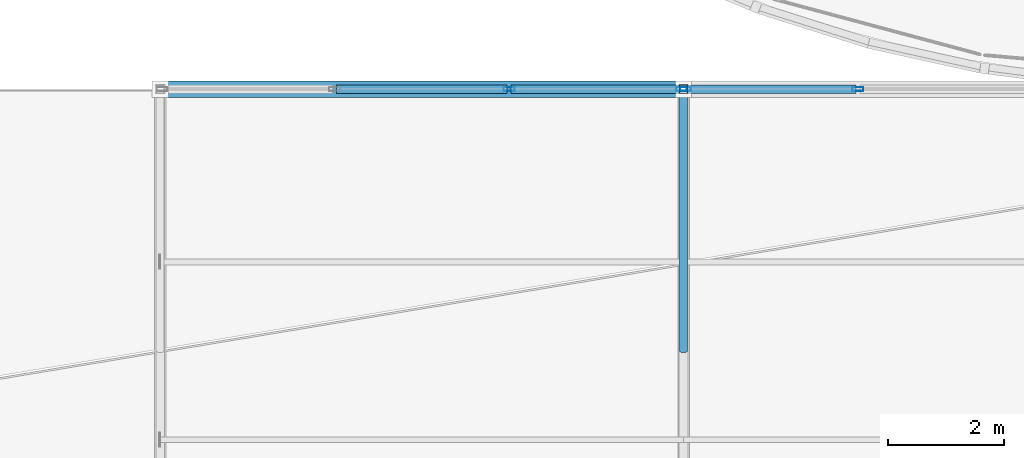
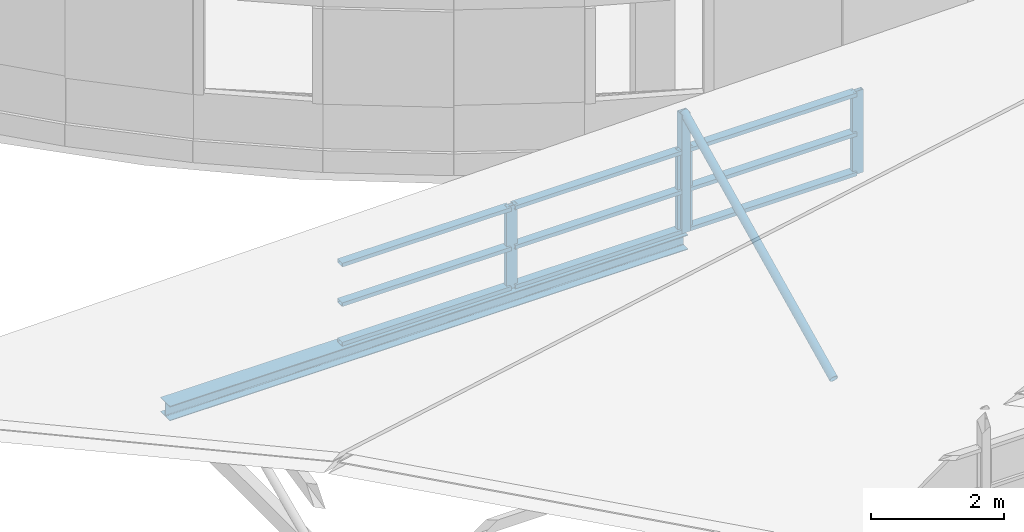
# One storey, part 33 of 103: 15 members, 1 beam, 2 elements without a shape of their own.
"""IFC4 building model written with IfcOpenShell, lengths in metres."""

from ifc_helpers import new_model, si_unit, direction, frame, origin, origin_2d, place, context, subcontext, project, spatial, hollow_rectangle, hollow_circle, i_section, extrude, material, layer, layer_set, material_profile, profile_set, type_object, element, aggregate, save


model = new_model("IFC4")

# Units and contexts
model_context = context("Model", 3, precision=1e-05, world=origin(), true_north=direction((0.0, 1.0)))
body_context = subcontext(model_context, "Body", "Model", "MODEL_VIEW")
ifc_project = project(units=[si_unit("LENGTHUNIT", "METRE"), si_unit("AREAUNIT", "SQUARE_METRE"), si_unit("VOLUMEUNIT", "CUBIC_METRE"), si_unit("PLANEANGLEUNIT", "RADIAN"), si_unit("MASSUNIT", "GRAM", prefix="KILO")], contexts=[model_context])

# Site, building, storey
site_placement = place(None, origin())
site = spatial("IfcSite", under=ifc_project, at=site_placement, CompositionType="ELEMENT")
building_placement = place(site_placement, origin())
building = spatial("IfcBuilding", under=site, at=building_placement, Name="Deido Ridge Mobility Hub", CompositionType="ELEMENT")
storey_placement = place(building_placement, frame((0.0, 0.0, 12.60009765625)))
storey = spatial("IfcBuildingStorey", under=building, at=storey_placement, Name="L03", CompositionType="ELEMENT", Elevation=12.60009765625)

# Curtain wall, members
ifc_material_1 = material(Name="Anodised aluminium EN AW-6063 T6", Category="aluminium")
ifc_layer = layer(ifc_material_1, 0.14404296875, Name="Anodised aluminium EN AW-6063 T6")
ifc_layer_set = layer_set([ifc_layer], Name="Anodised aluminium EN AW-6063 T6")
curtain_wall_type = type_object("IfcCurtainWallType", Name="CW-GS-2", PredefinedType="USERDEFINED", material=ifc_layer_set)
curtain_wall_1_placement = place(storey_placement, origin())
curtain_wall_1 = element("IfcCurtainWall", 1, at=curtain_wall_1_placement, inside=storey, type_object=curtain_wall_type, Name="Unitised curtain wall GS2", ObjectType="GLAZED SCREEN", PredefinedType="USERDEFINED")
ifc_material_profile_1 = material_profile(ifc_material_1, hollow_rectangle(XDim=0.070068359375, YDim=0.18994140625, WallThickness=0.00390625, at=origin_2d()), Name="RHS 70x190x4")
ifc_profile_set_1 = profile_set([ifc_material_profile_1], Name="Anodised aluminium EN AW-6063 T6")
member_type_1 = type_object("IfcMemberType", Name="MEM-MUL-70X190", PredefinedType="MULLION", material=ifc_profile_set_1)
member_1_placement = place(storey_placement, frame((33.0, 81.0, 0.0), z_axis=(0.0, 0.0, 1.0), x_axis=(0.0, 1.0, 0.0)))
member_1 = element("IfcMember", 2, at=member_1_placement, type_object=member_type_1, Name="GS2 mullion 3", PredefinedType="MULLION", context=body_context, shape_type="SweptSolid", body=[
    extrude(hollow_rectangle(XDim=0.070068359375, YDim=0.18994140625, WallThickness=0.00390625, at=origin_2d()), origin(), (0.0, 0.0, 1.0), 1.52001953125),
])
member_2_placement = place(storey_placement, frame((35.965087890625, 81.0, 0.0), z_axis=(0.0, 0.0, 1.0), x_axis=(0.0, 1.0, 0.0)))
member_2 = element("IfcMember", 3, at=member_2_placement, type_object=member_type_1, Name="GS2 mullion 4", PredefinedType="MULLION", context=body_context, shape_type="SweptSolid", body=[
    extrude(hollow_rectangle(XDim=0.070068359375, YDim=0.18994140625, WallThickness=0.00390625, at=origin_2d()), origin(), (0.0, 0.0, 1.0), 1.52001953125),
])

curtain_wall_2_placement = place(storey_placement, origin())
curtain_wall_2 = element("IfcCurtainWall", 4, at=curtain_wall_2_placement, inside=storey, type_object=curtain_wall_type, Name="Unitised curtain wall GS2", ObjectType="GLAZED SCREEN", PredefinedType="USERDEFINED")
member_3_placement = place(storey_placement, frame((36.034912109375, 81.0, 0.0), z_axis=(0.0, 0.0, 1.0), x_axis=(0.0, 1.0, 0.0)))
member_3 = element("IfcMember", 5, at=member_3_placement, type_object=member_type_1, Name="GS2 mullion 1", PredefinedType="MULLION", context=body_context, shape_type="SweptSolid", body=[
    extrude(hollow_rectangle(XDim=0.070068359375, YDim=0.18994140625, WallThickness=0.00390625, at=origin_2d()), origin(), (0.0, 0.0, 1.0), 1.52001953125),
])
member_4_placement = place(storey_placement, frame((38.99755859375, 81.0, 0.0), z_axis=(0.0, 0.0, 1.0), x_axis=(0.0, 1.0, 0.0)))
member_4 = element("IfcMember", 6, at=member_4_placement, type_object=member_type_1, Name="GS2 mullion 2", PredefinedType="MULLION", context=body_context, shape_type="SweptSolid", body=[
    extrude(hollow_rectangle(XDim=0.070068359375, YDim=0.18994140625, WallThickness=0.00390625, at=origin_2d()), origin(), (0.0, 0.0, 1.0), 1.52001953125),
])

# Members
ifc_material_2 = material(Name="Steel S355J2H EN 10210-1", Category="steel")
ifc_material_profile_2 = material_profile(ifc_material_2, hollow_rectangle(XDim=0.14990234375, YDim=0.14990234375, WallThickness=0.008056640625, at=origin_2d()), Name="SHS 150x150x8")
ifc_profile_set_2 = profile_set([ifc_material_profile_2], Name="Steel S355J2H EN 10210-1")
member_type_2 = type_object("IfcMemberType", Name="MEM-PST-SHS150", PredefinedType="POST", material=ifc_profile_set_2)
member_5_placement = place(storey_placement, frame((36.0, 81.0, 0.0), z_axis=(0.0, 0.0, 1.0), x_axis=(1.0, 0.0, 0.0)))
element("IfcMember", 7, at=member_5_placement, inside=storey, type_object=member_type_2, Name="Sawtooth clerestory post PS1", PredefinedType="POST", context=body_context, shape_type="SweptSolid", body=[
    extrude(hollow_rectangle(XDim=0.14990234375, YDim=0.14990234375, WallThickness=0.008056640625, at=origin_2d()), origin(), (0.0, 0.0, 1.0), 2.169921875),
])
ifc_material_profile_3 = material_profile(ifc_material_2, hollow_circle(Radius=0.06982421875, WallThickness=0.00634765625, at=origin_2d()), Name="CHS 139.7x6.3")
ifc_profile_set_3 = profile_set([ifc_material_profile_3], Name="Steel S355J2H EN 10210-1")
member_type_3 = type_object("IfcMemberType", Name="MEM-STR-CHS140", PredefinedType="STRUT", material=ifc_profile_set_3)
member_6_placement = place(storey_placement, frame((36.0, 76.5, 0.0), z_axis=(0.0, 0.900746831583, 0.43434450082), x_axis=(-1.0, 0.0, 0.0)))
element("IfcMember", 8, at=member_6_placement, inside=storey, type_object=member_type_3, Name="Sawtooth web strut SR2", PredefinedType="STRUT", context=body_context, shape_type="SweptSolid", body=[
    extrude(hollow_circle(Radius=0.06982421875, WallThickness=0.00634765625, at=origin_2d()), origin(), (0.0, 0.0, 1.0), 4.995849609375),
])

# Member
ifc_material_profile_4 = material_profile(ifc_material_1, hollow_rectangle(XDim=0.14501953125, YDim=0.070068359375, WallThickness=0.00390625, at=origin_2d()), Name="RHS 145x70x4")
ifc_profile_set_4 = profile_set([ifc_material_profile_4], Name="Anodised aluminium EN AW-6063 T6")
member_type_4 = type_object("IfcMemberType", Name="MEM-TRN-145X70", PredefinedType="USERDEFINED", material=ifc_profile_set_4)
member_7_placement = place(storey_placement, frame((30.034912109375, 81.0, 0.034912109375), z_axis=(1.0, 0.0, 0.0), x_axis=(0.0, 1.0, 0.0)))
member_7 = element("IfcMember", 9, at=member_7_placement, type_object=member_type_4, Name="GS2 transom 2.1", ObjectType="TRANSOM", PredefinedType="USERDEFINED", context=body_context, shape_type="SweptSolid", body=[
    extrude(hollow_rectangle(XDim=0.14501953125, YDim=0.070068359375, WallThickness=0.00390625, at=origin_2d()), origin(), (0.0, 0.0, 1.0), 2.93017578125),
])

member_8_placement = place(storey_placement, frame((30.034912109375, 81.0, 0.760009765625), z_axis=(1.0, 0.0, 0.0), x_axis=(0.0, 1.0, 0.0)))
member_8 = element("IfcMember", 10, at=member_8_placement, type_object=member_type_4, Name="GS2 transom 2.2", ObjectType="TRANSOM", PredefinedType="USERDEFINED", context=body_context, shape_type="SweptSolid", body=[
    extrude(hollow_rectangle(XDim=0.14501953125, YDim=0.070068359375, WallThickness=0.00390625, at=origin_2d()), origin(), (0.0, 0.0, 1.0), 2.93017578125),
])

member_9_placement = place(storey_placement, frame((30.034912109375, 81.0, 1.48486328125), z_axis=(1.0, 0.0, 0.0), x_axis=(0.0, 1.0, 0.0)))
member_9 = element("IfcMember", 11, at=member_9_placement, type_object=member_type_4, Name="GS2 transom 2.3", ObjectType="TRANSOM", PredefinedType="USERDEFINED", context=body_context, shape_type="SweptSolid", body=[
    extrude(hollow_rectangle(XDim=0.14501953125, YDim=0.070068359375, WallThickness=0.00390625, at=origin_2d()), origin(), (0.0, 0.0, 1.0), 2.93017578125),
])

member_10_placement = place(storey_placement, frame((33.034912109375, 81.0, 0.034912109375), z_axis=(1.0, 0.0, 0.0), x_axis=(0.0, 1.0, 0.0)))
member_10 = element("IfcMember", 12, at=member_10_placement, type_object=member_type_4, Name="GS2 transom 3.1", ObjectType="TRANSOM", PredefinedType="USERDEFINED", context=body_context, shape_type="SweptSolid", body=[
    extrude(hollow_rectangle(XDim=0.14501953125, YDim=0.070068359375, WallThickness=0.00390625, at=origin_2d()), origin(), (0.0, 0.0, 1.0), 2.89501953125),
])

member_11_placement = place(storey_placement, frame((33.034912109375, 81.0, 0.760009765625), z_axis=(1.0, 0.0, 0.0), x_axis=(0.0, 1.0, 0.0)))
member_11 = element("IfcMember", 13, at=member_11_placement, type_object=member_type_4, Name="GS2 transom 3.2", ObjectType="TRANSOM", PredefinedType="USERDEFINED", context=body_context, shape_type="SweptSolid", body=[
    extrude(hollow_rectangle(XDim=0.14501953125, YDim=0.070068359375, WallThickness=0.00390625, at=origin_2d()), origin(), (0.0, 0.0, 1.0), 2.89501953125),
])

member_12_placement = place(storey_placement, frame((33.034912109375, 81.0, 1.48486328125), z_axis=(1.0, 0.0, 0.0), x_axis=(0.0, 1.0, 0.0)))
member_12 = element("IfcMember", 14, at=member_12_placement, type_object=member_type_4, Name="GS2 transom 3.3", ObjectType="TRANSOM", PredefinedType="USERDEFINED", context=body_context, shape_type="SweptSolid", body=[
    extrude(hollow_rectangle(XDim=0.14501953125, YDim=0.070068359375, WallThickness=0.00390625, at=origin_2d()), origin(), (0.0, 0.0, 1.0), 2.89501953125),
])

aggregate(curtain_wall_1, [member_1, member_2, member_7, member_8, member_9, member_10, member_11, member_12])

member_13_placement = place(storey_placement, frame((36.070068359375, 81.0, 0.034912109375), z_axis=(1.0, 0.0, 0.0), x_axis=(0.0, 1.0, 0.0)))
member_13 = element("IfcMember", 15, at=member_13_placement, type_object=member_type_4, Name="GS2 transom 1.1", ObjectType="TRANSOM", PredefinedType="USERDEFINED", context=body_context, shape_type="SweptSolid", body=[
    extrude(hollow_rectangle(XDim=0.14501953125, YDim=0.070068359375, WallThickness=0.00390625, at=origin_2d()), origin(), (0.0, 0.0, 1.0), 2.892578125),
])

member_14_placement = place(storey_placement, frame((36.070068359375, 81.0, 0.760009765625), z_axis=(1.0, 0.0, 0.0), x_axis=(0.0, 1.0, 0.0)))
member_14 = element("IfcMember", 16, at=member_14_placement, type_object=member_type_4, Name="GS2 transom 1.2", ObjectType="TRANSOM", PredefinedType="USERDEFINED", context=body_context, shape_type="SweptSolid", body=[
    extrude(hollow_rectangle(XDim=0.14501953125, YDim=0.070068359375, WallThickness=0.00390625, at=origin_2d()), origin(), (0.0, 0.0, 1.0), 2.892578125),
])

member_15_placement = place(storey_placement, frame((36.070068359375, 81.0, 1.48486328125), z_axis=(1.0, 0.0, 0.0), x_axis=(0.0, 1.0, 0.0)))
member_15 = element("IfcMember", 17, at=member_15_placement, type_object=member_type_4, Name="GS2 transom 1.3", ObjectType="TRANSOM", PredefinedType="USERDEFINED", context=body_context, shape_type="SweptSolid", body=[
    extrude(hollow_rectangle(XDim=0.14501953125, YDim=0.070068359375, WallThickness=0.00390625, at=origin_2d()), origin(), (0.0, 0.0, 1.0), 2.892578125),
])

aggregate(curtain_wall_2, [member_3, member_4, member_13, member_14, member_15])

# Beam
ifc_material_3 = material(Name="Steel S355J2 EN 10025-2", Category="steel")
ifc_material_profile_5 = material_profile(ifc_material_3, i_section(OverallWidth=0.280029296875, OverallDepth=0.27001953125, WebThickness=0.008056640625, FlangeThickness=0.012939453125, FilletRadius=0.02392578125, at=origin_2d()), Name="HEA 280")
ifc_profile_set_5 = profile_set([ifc_material_profile_5], Name="Steel S355J2 EN 10025-2")
beam_type = type_object("IfcBeamType", Name="SPD-HEA280", PredefinedType="SPANDREL", material=ifc_profile_set_5)
beam_placement = place(storey_placement, frame((27.007080078125, 81.0, -0.135009765625), z_axis=(1.0, 0.0, 0.0), x_axis=(0.0, 1.0, 0.0)))
element("IfcBeam", 18, at=beam_placement, inside=storey, type_object=beam_type, Name="Sawtooth eave beam SP2", PredefinedType="SPANDREL", context=body_context, shape_type="SweptSolid", body=[
    extrude(i_section(OverallWidth=0.280029296875, OverallDepth=0.27001953125, WebThickness=0.008056640625, FlangeThickness=0.012939453125, FilletRadius=0.02392578125, at=origin_2d()), origin(), (0.0, 0.0, 1.0), 8.98583984375),
])

save(model, "model.ifc")
